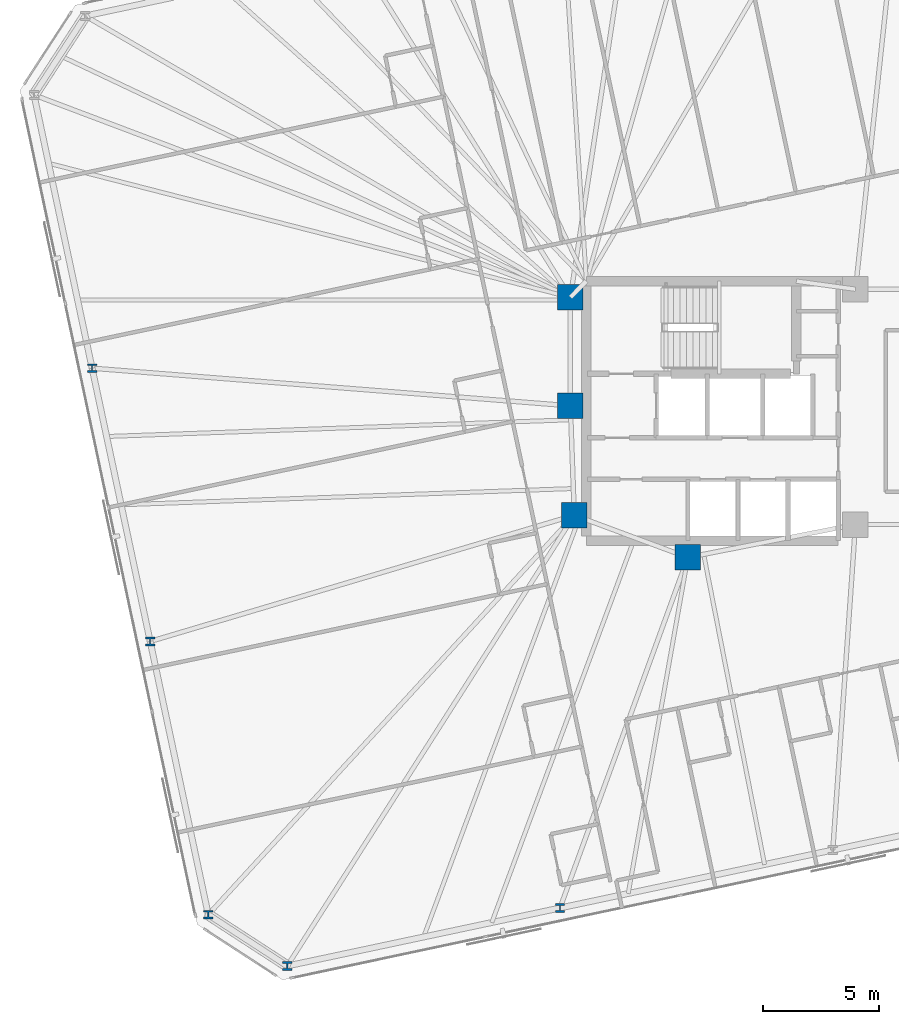
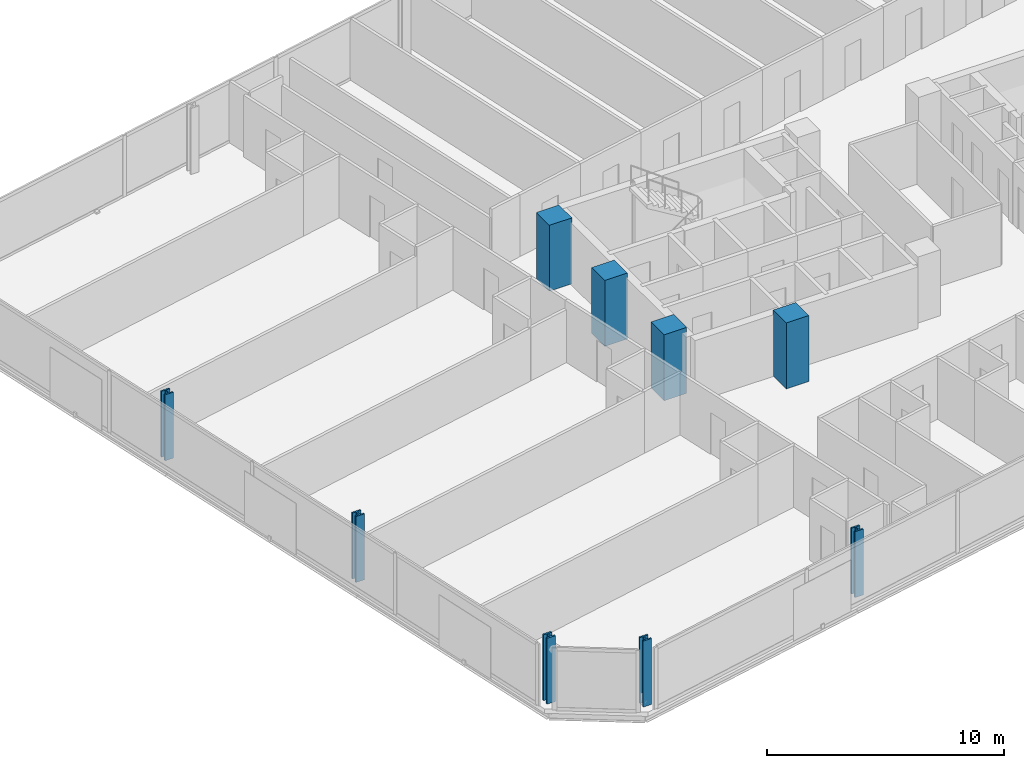
# One storey, part 1 of 21: 9 columns.
"""IFC4 building model written with IfcOpenShell, lengths in metres."""

from ifc_helpers import new_model, si_unit, direction, frame, origin, origin_2d, place, context, subcontext, project, spatial, rectangle, i_section, extrude, material, material_profile, profile_set, type_object, element, save


model = new_model("IFC4")

# Units and contexts
model_context = context("Model", 3, precision=1e-05, world=origin(), true_north=direction((0.0, 1.0)))
body_context = subcontext(model_context, "Body", "Model", "MODEL_VIEW")
ifc_project = project(units=[si_unit("LENGTHUNIT", "METRE"), si_unit("AREAUNIT", "SQUARE_METRE"), si_unit("VOLUMEUNIT", "CUBIC_METRE"), si_unit("PLANEANGLEUNIT", "RADIAN"), si_unit("MASSUNIT", "GRAM", prefix="KILO")], contexts=[model_context])

# Site, building, storey
site_placement = place(None, origin())
site = spatial("IfcSite", under=ifc_project, at=site_placement, CompositionType="ELEMENT")
building_placement = place(site_placement, origin())
building = spatial("IfcBuilding", under=site, at=building_placement, Name="Menara Jurai Vektor", CompositionType="ELEMENT")
storey_placement = place(building_placement, frame((0.0, 0.0, 188.800048828125)))
storey = spatial("IfcBuildingStorey", under=building, at=storey_placement, Name="L49", CompositionType="ELEMENT", Elevation=188.800048828125)

# Columns
ifc_material_1 = material(Name="Concrete C50/60", Category="concrete")
ifc_material_profile_1 = material_profile(ifc_material_1, rectangle(XDim=1.10009765625, YDim=1.10009765625, at=origin_2d()), Name="RC 1100x1100")
ifc_profile_set_1 = profile_set([ifc_material_profile_1], Name="Concrete C50/60")
column_type_1 = type_object("IfcColumnType", Name="STR-COL-RC1100", PredefinedType="COLUMN", material=ifc_profile_set_1)
for number, where, z_axis, x_axis, name in (
    (1, (-15.25, 4.89990234375, 0.0), (0.0, 0.0, 1.0), (1.0, 0.0, 0.0), "Core Spine Column CW-NW L49"),
    (2, (-15.25, 0.219970703125, 0.0), (0.0, 0.0, 1.0), (1.0, 0.0, 0.0), "Core Spine Column CW-WM L49"),
    (3, (-15.080078125, -4.5, 0.0), (0.0, 0.0, 1.0), (1.0, 0.0, 0.0), "Core Spine Column CW-SW L49"),
    (4, (-10.179931640625, -6.320068359375, 0.0), (0.0, 0.0, 1.0), (1.0, 0.0, 0.0), "Core Spine Column CW-SM L49"),
):
    element("IfcColumn", number, at=place(storey_placement, frame(where, z_axis=z_axis, x_axis=x_axis)), inside=storey, type_object=column_type_1, Name=name, PredefinedType="COLUMN", context=body_context, shape_type="SweptSolid", body=[
        extrude(rectangle(XDim=1.10009765625, YDim=1.10009765625, at=origin_2d()), origin(), (0.0, 0.0, 1.0), 3.39990234375),
    ])
ifc_material_2 = material(Name="Steel S460", Category="steel")
ifc_material_profile_2 = material_profile(ifc_material_2, i_section(OverallWidth=0.408935546875, OverallDepth=0.3740234375, WebThickness=0.048095703125, FlangeThickness=0.076904296875, FilletRadius=0.014892578125, at=origin_2d()), Name="HD 400x634")
ifc_profile_set_2 = profile_set([ifc_material_profile_2], Name="Steel S460")
column_type_2 = type_object("IfcColumnType", Name="STR-EXO-BLK3", PredefinedType="COLUMN", material=ifc_profile_set_2)
for number, where, z_axis, x_axis, name in (
    (5, (-27.46484375, -23.94580078125, 0.0), (0.0, 0.0, 1.0), (1.0, 0.0, 0.0), "Exoskeleton Column BLK3-S1 L49"),
    (6, (-15.696533203125, -21.4443359375, 0.0), (0.0, 0.0, 1.0), (1.0, 0.0, 0.0), "Exoskeleton Column BLK3-S2 L49"),
    (7, (-35.8828125, 1.843505859375, 0.0), (0.0, 0.0, 1.0), (1.0, 0.0, 0.0), "Exoskeleton Column BLK3-W2 L49"),
    (8, (-33.377197265625, -9.945068359375, 0.0), (0.0, 0.0, 1.0), (1.0, 0.0, 0.0), "Exoskeleton Column BLK3-W3 L49"),
    (9, (-30.871337890625, -21.7333984375, 0.0), (0.0, 0.0, 1.0), (1.0, 0.0, 0.0), "Exoskeleton Column BLK3-W4 L49"),
):
    element("IfcColumn", number, at=place(storey_placement, frame(where, z_axis=z_axis, x_axis=x_axis)), inside=storey, type_object=column_type_2, Name=name, PredefinedType="COLUMN", context=body_context, shape_type="SweptSolid", body=[
        extrude(i_section(OverallWidth=0.408935546875, OverallDepth=0.3740234375, WebThickness=0.048095703125, FlangeThickness=0.076904296875, FilletRadius=0.014892578125, at=origin_2d()), origin(), (0.0, 0.0, 1.0), 3.39990234375),
    ])

save(model, "model.ifc")
